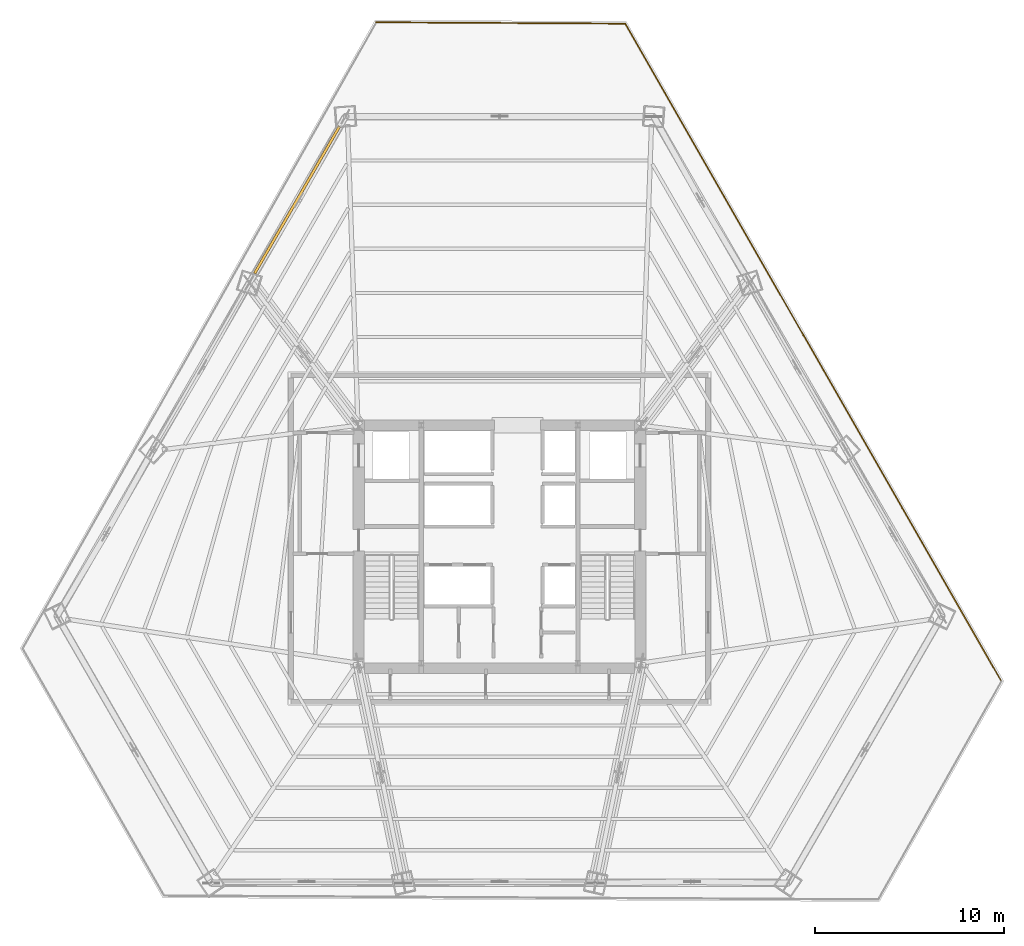
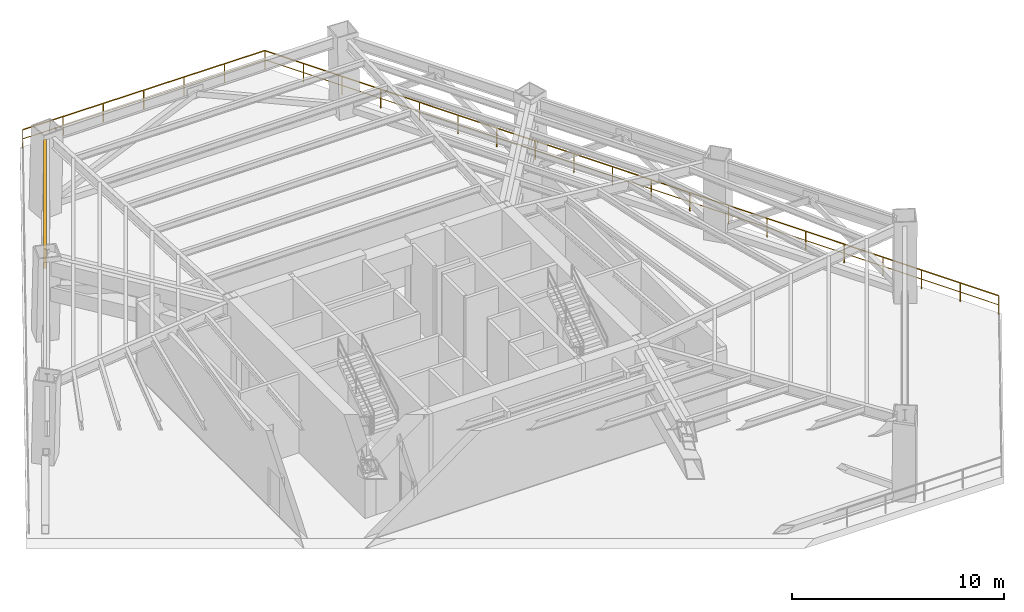
# One storey, part 13 of 13: 2 railings, 1 shading device.
"""IFC4 building model written with IfcOpenShell, lengths in metres."""

from ifc_helpers import new_model, si_unit, direction, frame, origin, origin_2d, place, context, subcontext, project, spatial, rectangle, extrude, source, transform, mapped, material, layer, layer_set, type_object, type_shapes, element, save


model = new_model("IFC4")

# Units and contexts
model_context = context("Model", 3, precision=1e-05, world=origin(), true_north=direction((0.0, 1.0)))
body_context = subcontext(model_context, "Body", "Model", "MODEL_VIEW")
ifc_project = project(units=[si_unit("LENGTHUNIT", "METRE"), si_unit("AREAUNIT", "SQUARE_METRE"), si_unit("VOLUMEUNIT", "CUBIC_METRE"), si_unit("PLANEANGLEUNIT", "RADIAN"), si_unit("MASSUNIT", "GRAM", prefix="KILO")], contexts=[model_context])

# Site, building, storey
site_placement = place(None, origin())
site = spatial("IfcSite", under=ifc_project, at=site_placement, CompositionType="ELEMENT")
building_placement = place(site_placement, origin())
building = spatial("IfcBuilding", under=site, at=building_placement, Name="Caelisora Broadcast Tower", CompositionType="ELEMENT")
storey_placement = place(building_placement, frame((0.0, 0.0, 75.050048828125)))
storey = spatial("IfcBuildingStorey", under=building, at=storey_placement, Name="L19", CompositionType="ELEMENT", Elevation=75.050048828125)

# Railings
ifc_material_1 = material(Name="Laminated Glass and Stainless Steel Terrace Balustrade", Category="steel")
ifc_layer_1 = layer(ifc_material_1, 0.048095703125, Name="Laminated Glass and Stainless Steel Terrace Balustrade")
ifc_layer_set_1 = layer_set([ifc_layer_1], Name="Laminated Glass and Stainless Steel Terrace Balustrade")
railing_type = type_object("IfcRailingType", Name="BL-1", PredefinedType="BALUSTRADE", material=ifc_layer_set_1)
railing_1_placement = place(storey_placement, frame((44.653076171875, 51.280029296875, 0.0)))
element("IfcRailing", 1, at=railing_1_placement, inside=storey, type_object=railing_type, Name="L19 balustrade BL-1 #01", PredefinedType="BALUSTRADE", context=body_context, shape_type="SweptSolid", body=[
    extrude(rectangle(XDim=0.048095703125, YDim=0.048095703125, at=origin_2d()), frame((0.0, 0.0, 1.076171875), z_axis=(0.496620282312, -0.867967911386, 0.0), x_axis=(0.867967911386, 0.496620282312, 0.0)), (0.0, 0.0, 1.0), 40.140869140625),
    extrude(rectangle(XDim=0.03125, YDim=0.03125, at=origin_2d()), frame((0.0, 0.0, 0.550048828125), z_axis=(0.496620282312, -0.867967911386, 0.0), x_axis=(0.867967911386, 0.496620282312, 0.0)), (0.0, 0.0, 1.0), 40.140869140625),
    extrude(rectangle(XDim=0.0419921875, YDim=0.0419921875, at=origin_2d()), origin(), (0.0, 0.0, 1.0), 1.052001953125),
    extrude(rectangle(XDim=0.0419921875, YDim=0.0419921875, at=origin_2d()), frame((1.04931640625, -1.833740234375, 0.0)), (0.0, 0.0, 1.0), 1.052001953125),
    extrude(rectangle(XDim=0.0419921875, YDim=0.0419921875, at=origin_2d()), frame((2.098388671875, -3.66748046875, 0.0)), (0.0, 0.0, 1.0), 1.052001953125),
    extrude(rectangle(XDim=0.0419921875, YDim=0.0419921875, at=origin_2d()), frame((3.147705078125, -5.501220703125, 0.0)), (0.0, 0.0, 1.0), 1.052001953125),
    extrude(rectangle(XDim=0.0419921875, YDim=0.0419921875, at=origin_2d()), frame((4.19677734375, -7.3349609375, 0.0)), (0.0, 0.0, 1.0), 1.052001953125),
    extrude(rectangle(XDim=0.0419921875, YDim=0.0419921875, at=origin_2d()), frame((5.24609375, -9.168701171875, 0.0)), (0.0, 0.0, 1.0), 1.052001953125),
    extrude(rectangle(XDim=0.0419921875, YDim=0.0419921875, at=origin_2d()), frame((6.295166015625, -11.00244140625, 0.0)), (0.0, 0.0, 1.0), 1.052001953125),
    extrude(rectangle(XDim=0.0419921875, YDim=0.0419921875, at=origin_2d()), frame((7.344482421875, -12.836181640625, 0.0)), (0.0, 0.0, 1.0), 1.052001953125),
    extrude(rectangle(XDim=0.0419921875, YDim=0.0419921875, at=origin_2d()), frame((8.3935546875, -14.669921875, 0.0)), (0.0, 0.0, 1.0), 1.052001953125),
    extrude(rectangle(XDim=0.0419921875, YDim=0.0419921875, at=origin_2d()), frame((9.44287109375, -16.503662109375, 0.0)), (0.0, 0.0, 1.0), 1.052001953125),
    extrude(rectangle(XDim=0.0419921875, YDim=0.0419921875, at=origin_2d()), frame((10.491943359375, -18.33740234375, 0.0)), (0.0, 0.0, 1.0), 1.052001953125),
    extrude(rectangle(XDim=0.0419921875, YDim=0.0419921875, at=origin_2d()), frame((11.541259765625, -20.171142578125, 0.0)), (0.0, 0.0, 1.0), 1.052001953125),
    extrude(rectangle(XDim=0.0419921875, YDim=0.0419921875, at=origin_2d()), frame((12.59033203125, -22.0048828125, 0.0)), (0.0, 0.0, 1.0), 1.052001953125),
    extrude(rectangle(XDim=0.0419921875, YDim=0.0419921875, at=origin_2d()), frame((13.6396484375, -23.838623046875, 0.0)), (0.0, 0.0, 1.0), 1.052001953125),
    extrude(rectangle(XDim=0.0419921875, YDim=0.0419921875, at=origin_2d()), frame((14.688720703125, -25.67236328125, 0.0)), (0.0, 0.0, 1.0), 1.052001953125),
    extrude(rectangle(XDim=0.0419921875, YDim=0.0419921875, at=origin_2d()), frame((15.738037109375, -27.506103515625, 0.0)), (0.0, 0.0, 1.0), 1.052001953125),
    extrude(rectangle(XDim=0.0419921875, YDim=0.0419921875, at=origin_2d()), frame((16.787109375, -29.33984375, 0.0)), (0.0, 0.0, 1.0), 1.052001953125),
    extrude(rectangle(XDim=0.0419921875, YDim=0.0419921875, at=origin_2d()), frame((17.83642578125, -31.173583984375, 0.0)), (0.0, 0.0, 1.0), 1.052001953125),
    extrude(rectangle(XDim=0.0419921875, YDim=0.0419921875, at=origin_2d()), frame((18.885498046875, -33.00732421875, 0.0)), (0.0, 0.0, 1.0), 1.052001953125),
    extrude(rectangle(XDim=0.0419921875, YDim=0.0419921875, at=origin_2d()), frame((19.934814453125, -34.841064453125, 0.0)), (0.0, 0.0, 1.0), 1.052001953125),
])
railing_2_placement = place(storey_placement, frame((31.471923828125, 51.35302734375, 0.0)))
element("IfcRailing", 2, at=railing_2_placement, inside=storey, type_object=railing_type, Name="L19 balustrade BL-1 #06", PredefinedType="BALUSTRADE", context=body_context, shape_type="SweptSolid", body=[
    extrude(rectangle(XDim=0.048095703125, YDim=0.048095703125, at=origin_2d()), frame((0.0, 0.0, 1.076171875), z_axis=(0.999984665284, -0.00553797768, 0.0), x_axis=(0.00553797768, 0.999984665284, 0.0)), (0.0, 0.0, 1.0), 13.181396484375),
    extrude(rectangle(XDim=0.03125, YDim=0.03125, at=origin_2d()), frame((0.0, 0.0, 0.550048828125), z_axis=(0.999984665284, -0.00553797768, 0.0), x_axis=(0.00553797768, 0.999984665284, 0.0)), (0.0, 0.0, 1.0), 13.181396484375),
    extrude(rectangle(XDim=0.0419921875, YDim=0.0419921875, at=origin_2d()), origin(), (0.0, 0.0, 1.0), 1.052001953125),
    extrude(rectangle(XDim=0.0419921875, YDim=0.0419921875, at=origin_2d()), frame((2.19677734375, -0.01220703125, 0.0)), (0.0, 0.0, 1.0), 1.052001953125),
    extrude(rectangle(XDim=0.0419921875, YDim=0.0419921875, at=origin_2d()), frame((4.393798828125, -0.0244140625, 0.0)), (0.0, 0.0, 1.0), 1.052001953125),
    extrude(rectangle(XDim=0.0419921875, YDim=0.0419921875, at=origin_2d()), frame((6.590576171875, -0.03662109375, 0.0)), (0.0, 0.0, 1.0), 1.052001953125),
    extrude(rectangle(XDim=0.0419921875, YDim=0.0419921875, at=origin_2d()), frame((8.787353515625, -0.048583984375, 0.0)), (0.0, 0.0, 1.0), 1.052001953125),
    extrude(rectangle(XDim=0.0419921875, YDim=0.0419921875, at=origin_2d()), frame((10.984375, -0.060791015625, 0.0)), (0.0, 0.0, 1.0), 1.052001953125),
    extrude(rectangle(XDim=0.0419921875, YDim=0.0419921875, at=origin_2d()), frame((13.18115234375, -0.072998046875, 0.0)), (0.0, 0.0, 1.0), 1.052001953125),
])

# Shading device
ifc_material_2 = material(Name="Anodised Terracotta Aluminium Acoustic Louvre", Category="aluminium")
ifc_layer_2 = layer(ifc_material_2, 0.139892578125, Name="Anodised Terracotta Aluminium Acoustic Louvre")
ifc_layer_set_2 = layer_set([ifc_layer_2], Name="Anodised Terracotta Aluminium Acoustic Louvre")
shading_device_type = type_object("IfcShadingDeviceType", Name="LV-1", PredefinedType="JALOUSIE", material=ifc_layer_set_2)
shared_shape = source(origin(), body_context, "Body", "SweptSolid", [
    extrude(rectangle(XDim=9.0009765625, YDim=0.139892578125, at=origin_2d()), origin(), (0.0, 0.0, 1.0), 1.14990234375),
])
type_shapes(shading_device_type, [shared_shape])
shading_device_placement = place(storey_placement, frame((27.276611328125, 41.947021484375, 3.409912109375), z_axis=(0.0, 0.0, 1.0), x_axis=(-0.5, -0.866025403784, 0.0)))
element("IfcShadingDevice", 3, at=shading_device_placement, inside=storey, type_object=shading_device_type, Name="L19 refuge wind-baffle louvre #1", PredefinedType="JALOUSIE", context=body_context, shape_type="MappedRepresentation", body=[
    mapped(shared_shape, transform((0.0, 0.0, 0.0), scale=1.0)),
])

save(model, "model.ifc")
